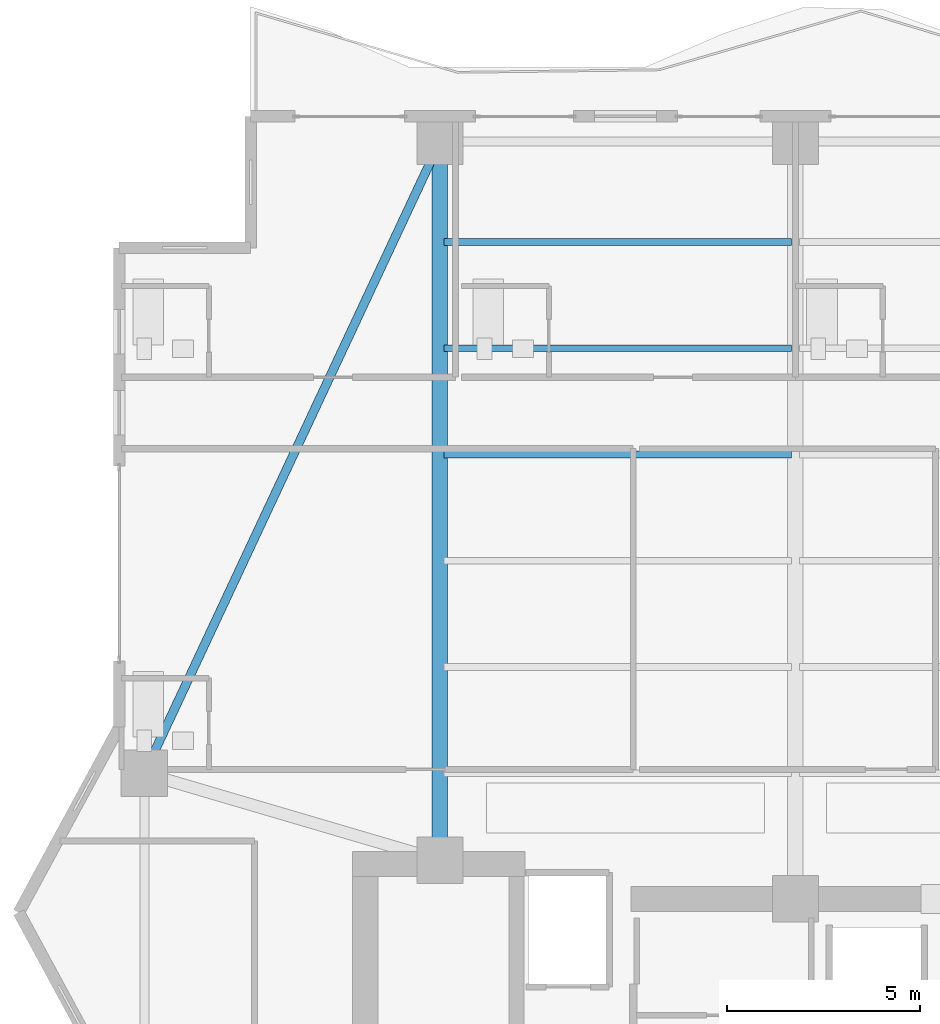
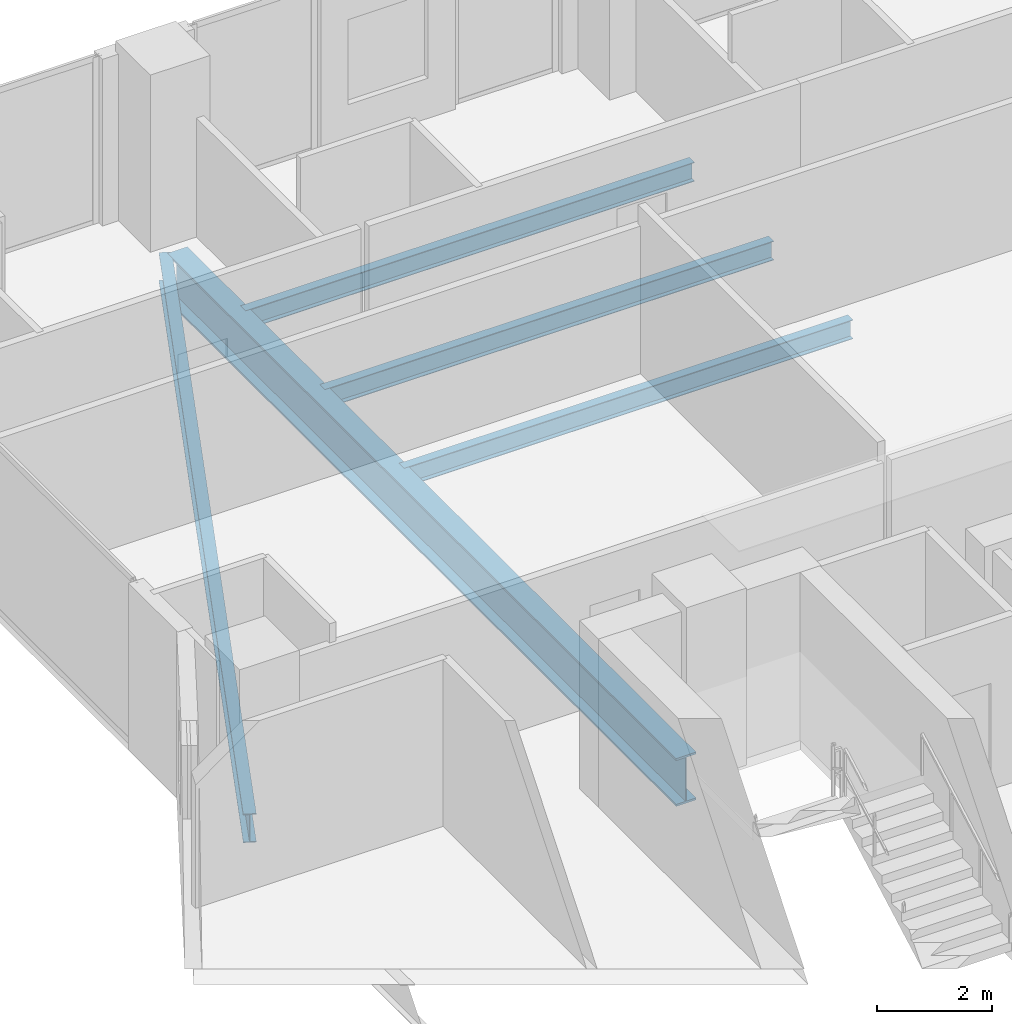
# One storey, part 17 of 33: 5 beams.
"""IFC4 building model written with IfcOpenShell, lengths in metres."""

import ifcopenshell
import ifcopenshell.guid

model = None  # the IFC model being written
_history = None  # IfcOwnerHistory: only IFC2X3 demands one
_inside = {}  # id of a spatial element -> (the spatial element, [elements in it])
_under = {}  # id of a project, library or spatial element -> (it, [spatial elements below it])
_declared = {}  # id of a project -> (the project, [libraries it declares])
_typed = {}  # id of a type object -> (the type object, [elements of that type])
_made_of = {}  # id of a material, layer set ... -> (it, [elements and type objects made of it])


def new_model(schema):
    """Start an empty IFC model of exactly this schema.

    Asked for "IFC4X3", IfcOpenShell would pick the latest addendum, in which some entities
    have other attributes; the version numbers below select the first issue.
    IFC2X3 requires an IfcOwnerHistory on every rooted entity: one is made here for all.
    """
    global model, _history
    if schema == "IFC4X3":
        model = ifcopenshell.file(schema_version=(4, 3, 0, 0))
    else:
        model = ifcopenshell.file(schema=schema)
    _inside.clear()
    _under.clear()
    _declared.clear()
    _typed.clear()
    _made_of.clear()
    _history = None
    if model.schema == "IFC2X3":
        org = make("IfcOrganization", Name="unknown")
        user = make(
            "IfcPersonAndOrganization",
            ThePerson=make("IfcPerson", FamilyName="unknown"),
            TheOrganization=org,
        )
        app = make(
            "IfcApplication",
            ApplicationDeveloper=org,
            Version="unknown",
            ApplicationFullName="unknown",
            ApplicationIdentifier="unknown",
        )
        _history = make(
            "IfcOwnerHistory",
            OwningUser=user,
            OwningApplication=app,
            ChangeAction="ADDED",
            CreationDate=0,
        )
    return model


def make(cls, **values):
    """One entity of the class cls with the attributes given. An attribute that is None is left unset."""
    return model.create_entity(
        cls, **{name: value for name, value in values.items() if value is not None}
    )


def rooted(cls, **values):
    """An entity with a GlobalId (a new one), such as an element, a storey or a relation."""
    return make(cls, GlobalId=ifcopenshell.guid.new(), OwnerHistory=_history, **values)


def si_unit(unit_type, name, prefix=None):
    """IfcSIUnit, for example si_unit("LENGTHUNIT", "METRE", prefix="MILLI")."""
    return make("IfcSIUnit", UnitType=unit_type, Prefix=prefix, Name=name)


def assignment(units):
    """IfcUnitAssignment: the units of a project."""
    return None if units is None else make("IfcUnitAssignment", Units=units)


def point(xyz):
    """IfcCartesianPoint."""
    return None if xyz is None else make("IfcCartesianPoint", Coordinates=xyz)


def direction(xyz):
    """IfcDirection."""
    return None if xyz is None else make("IfcDirection", DirectionRatios=xyz)


def frame(location, z_axis=None, x_axis=None):
    """IfcAxis2Placement3D, a coordinate frame: its origin and axes. An axis left out is left unset."""
    return make(
        "IfcAxis2Placement3D",
        Location=point(location),
        Axis=direction(z_axis),
        RefDirection=direction(x_axis),
    )


def frame_2d(location, x_axis=None):
    """IfcAxis2Placement2D, a coordinate frame in the plane: its origin and x axis."""
    return make(
        "IfcAxis2Placement2D", Location=point(location), RefDirection=direction(x_axis)
    )


def origin():
    """The frame at (0, 0, 0) with its axes left unset."""
    return frame((0.0, 0.0, 0.0))


def origin_2d():
    """The frame at (0, 0) in the plane with its x axis left unset."""
    return frame_2d((0.0, 0.0))


def place(relative_to, where):
    """IfcLocalPlacement: puts the frame where relative to a parent placement (None: the world)."""
    return make(
        "IfcLocalPlacement", PlacementRelTo=relative_to, RelativePlacement=where
    )


def context(
    kind, dimensions, precision=None, world=None, true_north=None, identifier=None
):
    """IfcGeometricRepresentationContext, for example the 3D "Model" context."""
    return make(
        "IfcGeometricRepresentationContext",
        ContextIdentifier=identifier,
        ContextType=kind,
        CoordinateSpaceDimension=dimensions,
        Precision=precision,
        WorldCoordinateSystem=world,
        TrueNorth=true_north,
    )


def subcontext(parent, identifier, kind, view, scale=None):
    """IfcGeometricRepresentationSubContext, for example "Body" below "Model"."""
    return make(
        "IfcGeometricRepresentationSubContext",
        ContextIdentifier=identifier,
        ContextType=kind,
        ParentContext=parent,
        TargetScale=scale,
        TargetView=view,
    )


def project(units=None, contexts=None):
    """IfcProject with its units and contexts."""
    return rooted(
        "IfcProject",
        Name="project",
        RepresentationContexts=contexts,
        UnitsInContext=assignment(units),
    )


def spatial(cls, under=None, at=None, **own):
    """A site, building, storey or space (cls), placed at a placement, below another one or the project."""
    s = rooted(cls, ObjectPlacement=at, **own)
    if under is not None:
        _under.setdefault(under.id(), (under, []))[1].append(s)
    return s


def profile(cls, at=None, kind="AREA", **sizes):
    """A parametric profile (cls). Its sizes go by their IFC names, for example OverallWidth=200.0."""
    return make(cls, ProfileType=kind, Position=at, **sizes)


def i_section(**sizes):
    """IfcIShapeProfileDef."""
    return profile("IfcIShapeProfileDef", **sizes)


def extrude(swept, where, along, depth):
    """IfcExtrudedAreaSolid: the profile swept, set in the frame where, extruded along a direction by depth."""
    return make(
        "IfcExtrudedAreaSolid",
        SweptArea=swept,
        Position=where,
        ExtrudedDirection=direction(along),
        Depth=depth,
    )


def shape(context_of_items, identifier, shape_type, items):
    """IfcShapeRepresentation: the items that make up one representation, for example the "Body"."""
    return make(
        "IfcShapeRepresentation",
        ContextOfItems=context_of_items,
        RepresentationIdentifier=identifier,
        RepresentationType=shape_type,
        Items=items,
    )


def material(Name=None, Category=None):
    """IfcMaterial."""
    return make("IfcMaterial", Name=Name, Category=Category)


def material_profile(
    of_material, cross_section, Name=None, Category=None, Priority=None
):
    """IfcMaterialProfile: a cross section and its material."""
    return make(
        "IfcMaterialProfile",
        Name=Name,
        Material=of_material,
        Profile=cross_section,
        Priority=Priority,
        Category=Category,
    )


def profile_set(profiles, Name=None, composite=None):
    """IfcMaterialProfileSet."""
    return make(
        "IfcMaterialProfileSet",
        Name=Name,
        MaterialProfiles=profiles,
        CompositeProfile=composite,
    )


def made_of(thing, what):
    """Note that an element or type object is made of a material, layer set ...; save() writes the relation."""
    if what is not None:
        _made_of.setdefault(what.id(), (what, []))[1].append(thing)
    return thing


def type_object(cls, material=None, **own):
    """A type object (cls), such as IfcWallType, which elements share."""
    return made_of(rooted(cls, **own), material)


def element(
    cls,
    number,
    at=None,
    inside=None,
    cuts=None,
    type_object=None,
    material=None,
    context=None,
    identifier="Body",
    shape_type=None,
    held_by="IfcProductDefinitionShape",
    body=None,
    shapes=None,
    **own,
):
    """One element of the class cls, such as IfcWall. Its Tag is "e" and its number.

    at: its placement. inside: the storey or other place that contains it. cuts: it is an
    opening in that element (IfcRelVoidsElement). A single representation is given by context,
    identifier, shape_type and body (its items); several are given by shapes. held_by: the class
    of the entity that holds the representations. save() writes the other relations.
    """
    e = rooted(cls, Tag="e%d" % number, ObjectPlacement=at, **own)
    if body is not None:
        shapes = [shape(context, identifier, shape_type, body)]
    if shapes is not None:
        e.Representation = make(held_by, Representations=shapes)
    if inside is not None:
        _inside.setdefault(inside.id(), (inside, []))[1].append(e)
    if cuts is not None:
        rooted(
            "IfcRelVoidsElement", RelatingBuildingElement=cuts, RelatedOpeningElement=e
        )
    if type_object is not None:
        _typed.setdefault(type_object.id(), (type_object, []))[1].append(e)
    return made_of(e, material)


def aggregate(whole, parts):
    """IfcRelAggregates: a whole, such as a stair, and the parts it consists of."""
    return rooted("IfcRelAggregates", RelatingObject=whole, RelatedObjects=parts)


def save(model, path):
    """Write the relations noted so far, then the file.

    IfcRelAggregates (storeys below a building ...), IfcRelContainedInSpatialStructure (elements
    in a storey), IfcRelDefinesByType, IfcRelAssociatesMaterial and IfcRelDeclares: one each for
    every whole, place, type object, material and project.
    """
    for whole, parts in _under.values():
        aggregate(whole, parts)
    for where, things in _inside.values():
        rooted(
            "IfcRelContainedInSpatialStructure",
            RelatedElements=things,
            RelatingStructure=where,
        )
    for kind, things in _typed.values():
        rooted("IfcRelDefinesByType", RelatedObjects=things, RelatingType=kind)
    for what, things in _made_of.values():
        rooted("IfcRelAssociatesMaterial", RelatedObjects=things, RelatingMaterial=what)
    for by, libraries in _declared.values():
        rooted("IfcRelDeclares", RelatingContext=by, RelatedDefinitions=libraries)
    model.write(path)


model = new_model("IFC4")

# Units and contexts
model_context = context("Model", 3, precision=1e-05, world=origin(), true_north=direction((0.0, 1.0)))
body_context = subcontext(model_context, "Body", "Model", "MODEL_VIEW")
ifc_project = project(units=[si_unit("LENGTHUNIT", "METRE"), si_unit("AREAUNIT", "SQUARE_METRE"), si_unit("VOLUMEUNIT", "CUBIC_METRE"), si_unit("PLANEANGLEUNIT", "RADIAN"), si_unit("MASSUNIT", "GRAM", prefix="KILO")], contexts=[model_context])

# Site, building, storey
site_placement = place(None, origin())
site = spatial("IfcSite", under=ifc_project, at=site_placement, CompositionType="ELEMENT")
building_placement = place(site_placement, origin())
building = spatial("IfcBuilding", under=site, at=building_placement, Name="Zuhayl Quay Hotel", CompositionType="ELEMENT")
storey_placement = place(building_placement, frame((0.0, 0.0, 214.89990234375)))
storey = spatial("IfcBuildingStorey", under=building, at=storey_placement, Name="L54", CompositionType="ELEMENT", Elevation=214.89990234375)

# Beams
ifc_material = material(Name="Steel ASTM A992 Grade 50", Category="steel")
ifc_material_profile_1 = material_profile(ifc_material, i_section(OverallWidth=0.22802734375, OverallDepth=0.60693359375, WebThickness=0.01123046875, FlangeThickness=0.017333984375, at=origin_2d()), Name="W24X76")
ifc_profile_set_1 = profile_set([ifc_material_profile_1], Name="Steel ASTM A992 Grade 50")
beam_type_1 = type_object("IfcBeamType", Name="BM_B3_W24X76", PredefinedType="BEAM", material=ifc_profile_set_1)
beam_1_placement = place(storey_placement, frame((-14.011962890625, 32.4970703125, -0.5234375), z_axis=(-0.423792164429, -0.905759461098, 0.0), x_axis=(0.905759461098, -0.423792164429, 0.0)))
element("IfcBeam", 1, at=beam_1_placement, inside=storey, type_object=beam_type_1, Name="L54 Floor Beam RG_L54_10", PredefinedType="BEAM", context=body_context, shape_type="SweptSolid", body=[
    extrude(i_section(OverallWidth=0.22802734375, OverallDepth=0.60693359375, WebThickness=0.01123046875, FlangeThickness=0.017333984375, at=origin_2d()), origin(), (0.0, 0.0, 1.0), 17.051025390625),
])
ifc_material_profile_2 = material_profile(ifc_material, i_section(OverallWidth=0.177978515625, OverallDepth=0.406005859375, WebThickness=0.0078125, FlangeThickness=0.0126953125, at=origin_2d()), Name="W16X40")
ifc_profile_set_2 = profile_set([ifc_material_profile_2], Name="Steel ASTM A992 Grade 50")
beam_type_2 = type_object("IfcBeamType", Name="BM_J2B_W16X40", PredefinedType="JOIST", material=ifc_profile_set_2)
for number, where, z_axis, x_axis, name in (
    (2, (-13.694091796875, 24.85009765625, -0.4228515625), (1.0, 0.0, 0.0), (0.0, 1.0, 0.0), "L54 Floor Beam FJ_L54_4_1"),
    (3, (-13.694091796875, 27.60009765625, -0.4228515625), (1.0, 0.0, 0.0), (0.0, 1.0, 0.0), "L54 Floor Beam FJ_L54_5_1"),
    (4, (-13.694091796875, 30.35009765625, -0.4228515625), (1.0, 0.0, 0.0), (0.0, 1.0, 0.0), "L54 Floor Beam FJ_L54_6_1"),
):
    element("IfcBeam", number, at=place(storey_placement, frame(where, z_axis=z_axis, x_axis=x_axis)), inside=storey, type_object=beam_type_2, Name=name, PredefinedType="JOIST", context=body_context, shape_type="SweptSolid", body=[
        extrude(i_section(OverallWidth=0.177978515625, OverallDepth=0.406005859375, WebThickness=0.0078125, FlangeThickness=0.0126953125, at=origin_2d()), origin(), (0.0, 0.0, 1.0), 8.988037109375),
    ])
ifc_material_profile_3 = material_profile(ifc_material, i_section(OverallWidth=0.40087890625, OverallDepth=1.010986328125, WebThickness=0.023681640625, FlangeThickness=0.0419921875, at=origin_2d()), Name="W40X297")
ifc_profile_set_3 = profile_set([ifc_material_profile_3], Name="Steel ASTM A992 Grade 50")
beam_type_3 = type_object("IfcBeamType", Name="BM_TG2_W40X297", PredefinedType="BEAM", material=ifc_profile_set_3)
beam_2_placement = place(storey_placement, frame((-13.800048828125, 14.800048828125, -0.725341796875), z_axis=(0.0, 1.0, 0.0), x_axis=(-1.0, 0.0, 0.0)))
element("IfcBeam", 5, at=beam_2_placement, inside=storey, type_object=beam_type_3, Name="L54 Floor Beam FG_N_L54_1", PredefinedType="BEAM", context=body_context, shape_type="SweptSolid", body=[
    extrude(i_section(OverallWidth=0.40087890625, OverallDepth=1.010986328125, WebThickness=0.023681640625, FlangeThickness=0.0419921875, at=origin_2d()), origin(), (0.0, 0.0, 1.0), 17.64990234375),
])

save(model, "model.ifc")
